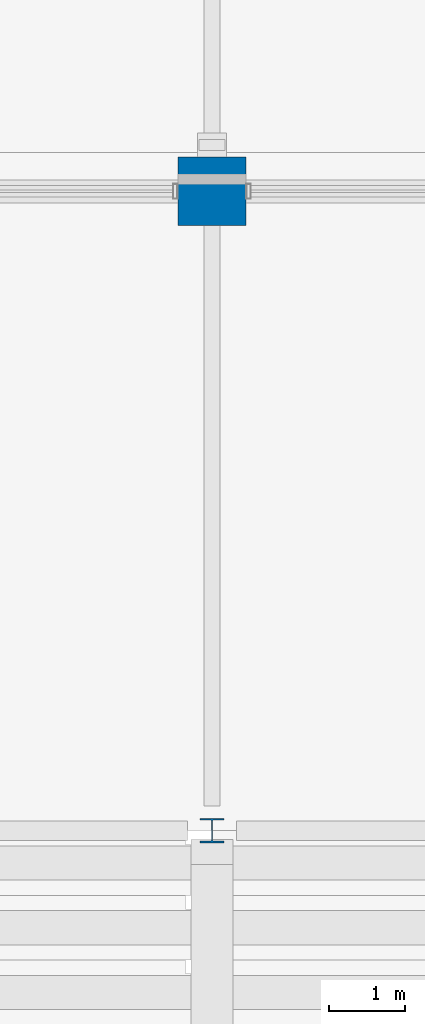
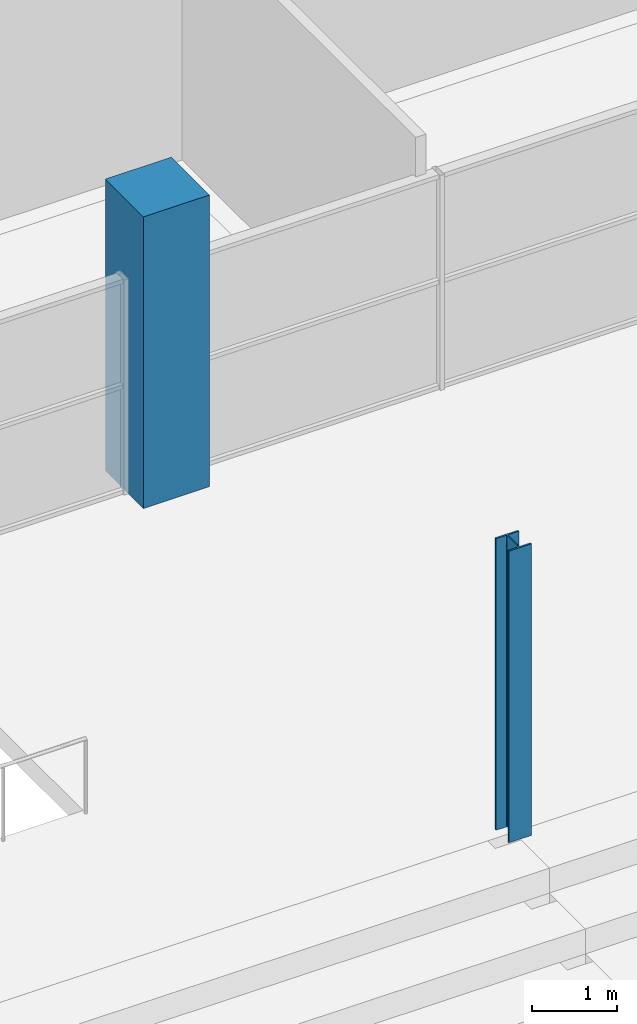
# One storey, part 8 of 161: 2 columns.
"""IFC4 building model written with IfcOpenShell, lengths in metres."""

from ifc_helpers import new_model, si_unit, direction, frame, origin, origin_2d, place, context, subcontext, project, spatial, rectangle, i_section, extrude, material, material_profile, profile_set, type_object, element, save


model = new_model("IFC4")

# Units and contexts
model_context = context("Model", 3, precision=1e-05, world=origin(), true_north=direction((0.0, 1.0)))
body_context = subcontext(model_context, "Body", "Model", "MODEL_VIEW")
ifc_project = project(units=[si_unit("LENGTHUNIT", "METRE"), si_unit("AREAUNIT", "SQUARE_METRE"), si_unit("VOLUMEUNIT", "CUBIC_METRE"), si_unit("PLANEANGLEUNIT", "RADIAN"), si_unit("MASSUNIT", "GRAM", prefix="KILO"), si_unit("THERMODYNAMICTEMPERATUREUNIT", "KELVIN")], contexts=[model_context])

# Site, building, storey
site_placement = place(None, origin())
site = spatial("IfcSite", under=ifc_project, at=site_placement, CompositionType="ELEMENT")
building_placement = place(site_placement, origin())
building = spatial("IfcBuilding", under=site, at=building_placement, Name="Nduvali Passage Aquatics Centre", CompositionType="ELEMENT")
storey_placement = place(building_placement, frame((0.0, 0.0, 4.800048828125)))
storey = spatial("IfcBuildingStorey", under=building, at=storey_placement, Name="L01", CompositionType="ELEMENT", Elevation=4.800048828125)

# Columns
ifc_material_1 = material(Name="Concrete C40/50", Category="concrete")
ifc_material_profile_1 = material_profile(ifc_material_1, rectangle(XDim=0.89990234375, YDim=0.89990234375, at=origin_2d()), Name="RC 900x900")
ifc_profile_set_1 = profile_set([ifc_material_profile_1], Name="Concrete C40/50")
column_type_1 = type_object("IfcColumnType", Name="STR-COL-RC900-EXT", PredefinedType="COLUMN", material=ifc_profile_set_1)
column_1_placement = place(storey_placement, frame((82.800048828125, 92.39990234375, 0.0), z_axis=(0.0, 0.0, 1.0), x_axis=(1.0, 0.0, 0.0)))
element("IfcColumn", 1, at=column_1_placement, inside=storey, type_object=column_type_1, Name="L01 Column C1E (82.8, 92.4)", PredefinedType="COLUMN", context=body_context, shape_type="SweptSolid", body=[
    extrude(rectangle(XDim=0.89990234375, YDim=0.89990234375, at=origin_2d()), origin(), (0.0, 0.0, 1.0), 4.199951171875),
])
ifc_material_2 = material(Name="Steel S355", Category="steel")
ifc_material_profile_2 = material_profile(ifc_material_2, i_section(OverallWidth=0.30908203125, OverallDepth=0.320556640625, WebThickness=0.013916015625, FlangeThickness=0.021728515625, FilletRadius=0.01513671875, at=origin_2d()), Name="UKC 305x305x137")
ifc_profile_set_2 = profile_set([ifc_material_profile_2], Name="Steel S355")
column_type_2 = type_object("IfcColumnType", Name="STR-COL-UKC305", PredefinedType="COLUMN", material=ifc_profile_set_2)
column_2_placement = place(storey_placement, frame((82.800048828125, 84.0, 0.0), z_axis=(0.0, 0.0, 1.0), x_axis=(1.0, 0.0, 0.0)))
element("IfcColumn", 2, at=column_2_placement, inside=storey, type_object=column_type_2, Name="L01 Column C6 (82.8, 84.0)", PredefinedType="COLUMN", context=body_context, shape_type="SweptSolid", body=[
    extrude(i_section(OverallWidth=0.30908203125, OverallDepth=0.320556640625, WebThickness=0.013916015625, FlangeThickness=0.021728515625, FilletRadius=0.01513671875, at=origin_2d()), origin(), (0.0, 0.0, 1.0), 4.199951171875),
])

save(model, "model.ifc")
